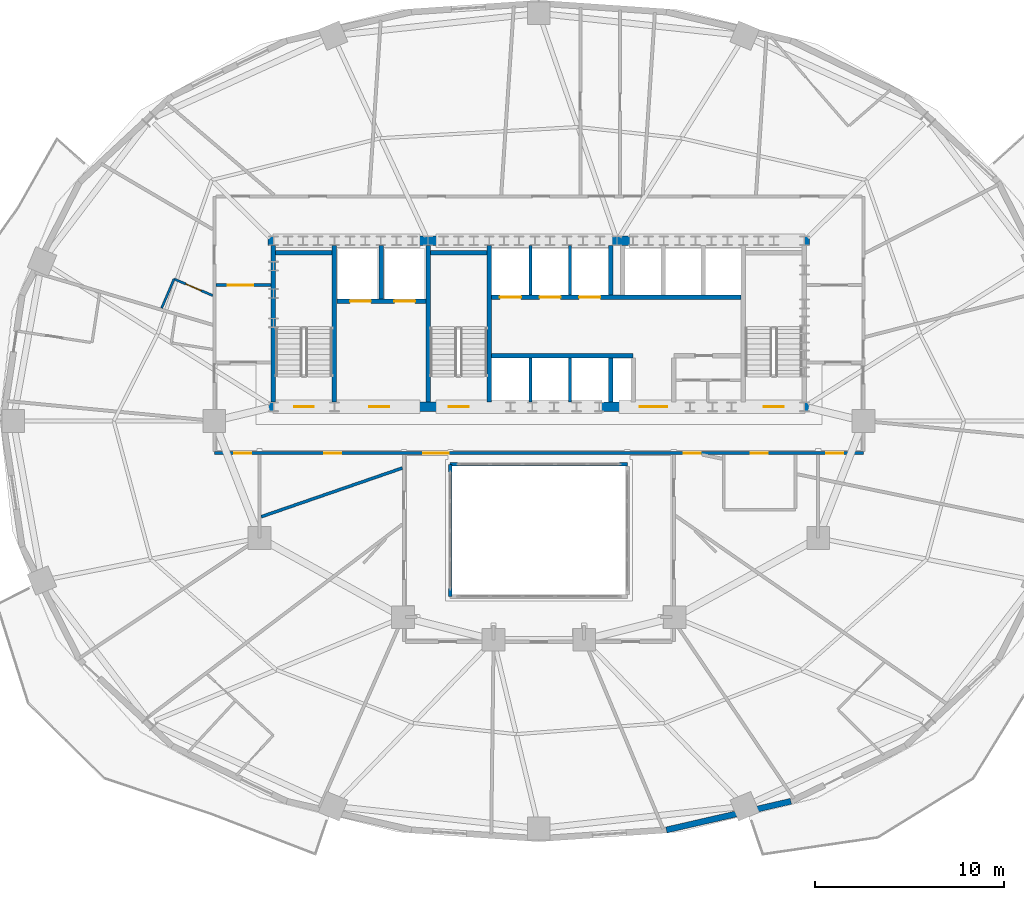
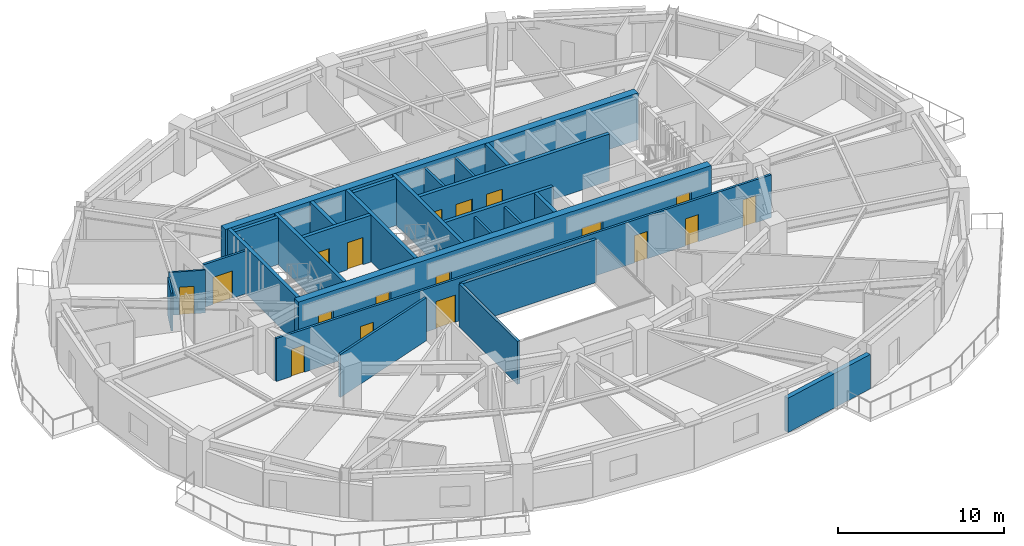
# One storey, part 8 of 14: 26 walls, 18 doors, 18 openings.
"""IFC4 building model written with IfcOpenShell, lengths in metres."""

import ifcopenshell
import ifcopenshell.guid

model = None  # the IFC model being written
_history = None  # IfcOwnerHistory: only IFC2X3 demands one
_inside = {}  # id of a spatial element -> (the spatial element, [elements in it])
_under = {}  # id of a project, library or spatial element -> (it, [spatial elements below it])
_declared = {}  # id of a project -> (the project, [libraries it declares])
_typed = {}  # id of a type object -> (the type object, [elements of that type])
_made_of = {}  # id of a material, layer set ... -> (it, [elements and type objects made of it])


def new_model(schema):
    """Start an empty IFC model of exactly this schema.

    Asked for "IFC4X3", IfcOpenShell would pick the latest addendum, in which some entities
    have other attributes; the version numbers below select the first issue.
    IFC2X3 requires an IfcOwnerHistory on every rooted entity: one is made here for all.
    """
    global model, _history
    if schema == "IFC4X3":
        model = ifcopenshell.file(schema_version=(4, 3, 0, 0))
    else:
        model = ifcopenshell.file(schema=schema)
    _inside.clear()
    _under.clear()
    _declared.clear()
    _typed.clear()
    _made_of.clear()
    _history = None
    if model.schema == "IFC2X3":
        org = make("IfcOrganization", Name="unknown")
        user = make(
            "IfcPersonAndOrganization",
            ThePerson=make("IfcPerson", FamilyName="unknown"),
            TheOrganization=org,
        )
        app = make(
            "IfcApplication",
            ApplicationDeveloper=org,
            Version="unknown",
            ApplicationFullName="unknown",
            ApplicationIdentifier="unknown",
        )
        _history = make(
            "IfcOwnerHistory",
            OwningUser=user,
            OwningApplication=app,
            ChangeAction="ADDED",
            CreationDate=0,
        )
    return model


def make(cls, **values):
    """One entity of the class cls with the attributes given. An attribute that is None is left unset."""
    return model.create_entity(
        cls, **{name: value for name, value in values.items() if value is not None}
    )


def rooted(cls, **values):
    """An entity with a GlobalId (a new one), such as an element, a storey or a relation."""
    return make(cls, GlobalId=ifcopenshell.guid.new(), OwnerHistory=_history, **values)


def si_unit(unit_type, name, prefix=None):
    """IfcSIUnit, for example si_unit("LENGTHUNIT", "METRE", prefix="MILLI")."""
    return make("IfcSIUnit", UnitType=unit_type, Prefix=prefix, Name=name)


def assignment(units):
    """IfcUnitAssignment: the units of a project."""
    return None if units is None else make("IfcUnitAssignment", Units=units)


def point(xyz):
    """IfcCartesianPoint."""
    return None if xyz is None else make("IfcCartesianPoint", Coordinates=xyz)


def direction(xyz):
    """IfcDirection."""
    return None if xyz is None else make("IfcDirection", DirectionRatios=xyz)


def frame(location, z_axis=None, x_axis=None):
    """IfcAxis2Placement3D, a coordinate frame: its origin and axes. An axis left out is left unset."""
    return make(
        "IfcAxis2Placement3D",
        Location=point(location),
        Axis=direction(z_axis),
        RefDirection=direction(x_axis),
    )


def frame_2d(location, x_axis=None):
    """IfcAxis2Placement2D, a coordinate frame in the plane: its origin and x axis."""
    return make(
        "IfcAxis2Placement2D", Location=point(location), RefDirection=direction(x_axis)
    )


def origin():
    """The frame at (0, 0, 0) with its axes left unset."""
    return frame((0.0, 0.0, 0.0))


def place(relative_to, where):
    """IfcLocalPlacement: puts the frame where relative to a parent placement (None: the world)."""
    return make(
        "IfcLocalPlacement", PlacementRelTo=relative_to, RelativePlacement=where
    )


def context(
    kind, dimensions, precision=None, world=None, true_north=None, identifier=None
):
    """IfcGeometricRepresentationContext, for example the 3D "Model" context."""
    return make(
        "IfcGeometricRepresentationContext",
        ContextIdentifier=identifier,
        ContextType=kind,
        CoordinateSpaceDimension=dimensions,
        Precision=precision,
        WorldCoordinateSystem=world,
        TrueNorth=true_north,
    )


def subcontext(parent, identifier, kind, view, scale=None):
    """IfcGeometricRepresentationSubContext, for example "Body" below "Model"."""
    return make(
        "IfcGeometricRepresentationSubContext",
        ContextIdentifier=identifier,
        ContextType=kind,
        ParentContext=parent,
        TargetScale=scale,
        TargetView=view,
    )


def project(units=None, contexts=None):
    """IfcProject with its units and contexts."""
    return rooted(
        "IfcProject",
        Name="project",
        RepresentationContexts=contexts,
        UnitsInContext=assignment(units),
    )


def spatial(cls, under=None, at=None, **own):
    """A site, building, storey or space (cls), placed at a placement, below another one or the project."""
    s = rooted(cls, ObjectPlacement=at, **own)
    if under is not None:
        _under.setdefault(under.id(), (under, []))[1].append(s)
    return s


def profile(cls, at=None, kind="AREA", **sizes):
    """A parametric profile (cls). Its sizes go by their IFC names, for example OverallWidth=200.0."""
    return make(cls, ProfileType=kind, Position=at, **sizes)


def rectangle(**sizes):
    """IfcRectangleProfileDef."""
    return profile("IfcRectangleProfileDef", **sizes)


def extrude(swept, where, along, depth):
    """IfcExtrudedAreaSolid: the profile swept, set in the frame where, extruded along a direction by depth."""
    return make(
        "IfcExtrudedAreaSolid",
        SweptArea=swept,
        Position=where,
        ExtrudedDirection=direction(along),
        Depth=depth,
    )


def shape(context_of_items, identifier, shape_type, items):
    """IfcShapeRepresentation: the items that make up one representation, for example the "Body"."""
    return make(
        "IfcShapeRepresentation",
        ContextOfItems=context_of_items,
        RepresentationIdentifier=identifier,
        RepresentationType=shape_type,
        Items=items,
    )


def material(Name=None, Category=None):
    """IfcMaterial."""
    return make("IfcMaterial", Name=Name, Category=Category)


def layer(
    of_material, thickness, ventilated=None, Name=None, Category=None, Priority=None
):
    """IfcMaterialLayer: one layer of a wall or slab, of a material (None: an air gap)."""
    return make(
        "IfcMaterialLayer",
        Material=of_material,
        LayerThickness=thickness,
        IsVentilated=ventilated,
        Name=Name,
        Category=Category,
        Priority=Priority,
    )


def layer_set(layers, Name=None):
    """IfcMaterialLayerSet."""
    return make("IfcMaterialLayerSet", MaterialLayers=layers, LayerSetName=Name)


def made_of(thing, what):
    """Note that an element or type object is made of a material, layer set ...; save() writes the relation."""
    if what is not None:
        _made_of.setdefault(what.id(), (what, []))[1].append(thing)
    return thing


def type_object(cls, material=None, **own):
    """A type object (cls), such as IfcWallType, which elements share."""
    return made_of(rooted(cls, **own), material)


def element(
    cls,
    number,
    at=None,
    inside=None,
    cuts=None,
    type_object=None,
    material=None,
    context=None,
    identifier="Body",
    shape_type=None,
    held_by="IfcProductDefinitionShape",
    body=None,
    shapes=None,
    **own,
):
    """One element of the class cls, such as IfcWall. Its Tag is "e" and its number.

    at: its placement. inside: the storey or other place that contains it. cuts: it is an
    opening in that element (IfcRelVoidsElement). A single representation is given by context,
    identifier, shape_type and body (its items); several are given by shapes. held_by: the class
    of the entity that holds the representations. save() writes the other relations.
    """
    e = rooted(cls, Tag="e%d" % number, ObjectPlacement=at, **own)
    if body is not None:
        shapes = [shape(context, identifier, shape_type, body)]
    if shapes is not None:
        e.Representation = make(held_by, Representations=shapes)
    if inside is not None:
        _inside.setdefault(inside.id(), (inside, []))[1].append(e)
    if cuts is not None:
        rooted(
            "IfcRelVoidsElement", RelatingBuildingElement=cuts, RelatedOpeningElement=e
        )
    if type_object is not None:
        _typed.setdefault(type_object.id(), (type_object, []))[1].append(e)
    return made_of(e, material)


def fill(opening, filler):
    """IfcRelFillsElement: the door or window that sits in an opening."""
    return rooted(
        "IfcRelFillsElement",
        RelatingOpeningElement=opening,
        RelatedBuildingElement=filler,
    )


def aggregate(whole, parts):
    """IfcRelAggregates: a whole, such as a stair, and the parts it consists of."""
    return rooted("IfcRelAggregates", RelatingObject=whole, RelatedObjects=parts)


def save(model, path):
    """Write the relations noted so far, then the file.

    IfcRelAggregates (storeys below a building ...), IfcRelContainedInSpatialStructure (elements
    in a storey), IfcRelDefinesByType, IfcRelAssociatesMaterial and IfcRelDeclares: one each for
    every whole, place, type object, material and project.
    """
    for whole, parts in _under.values():
        aggregate(whole, parts)
    for where, things in _inside.values():
        rooted(
            "IfcRelContainedInSpatialStructure",
            RelatedElements=things,
            RelatingStructure=where,
        )
    for kind, things in _typed.values():
        rooted("IfcRelDefinesByType", RelatedObjects=things, RelatingType=kind)
    for what, things in _made_of.values():
        rooted("IfcRelAssociatesMaterial", RelatedObjects=things, RelatingMaterial=what)
    for by, libraries in _declared.values():
        rooted("IfcRelDeclares", RelatingContext=by, RelatedDefinitions=libraries)
    model.write(path)


model = new_model("IFC4")

# Units and contexts
model_context = context("Model", 3, precision=1e-05, world=origin(), true_north=direction((0.0, 1.0)))
body_context = subcontext(model_context, "Body", "Model", "MODEL_VIEW")
ifc_project = project(units=[si_unit("LENGTHUNIT", "METRE"), si_unit("AREAUNIT", "SQUARE_METRE"), si_unit("VOLUMEUNIT", "CUBIC_METRE"), si_unit("PLANEANGLEUNIT", "RADIAN"), si_unit("MASSUNIT", "GRAM", prefix="KILO")], contexts=[model_context])

# Site, building, storey
site_placement = place(None, origin())
site = spatial("IfcSite", under=ifc_project, at=site_placement, CompositionType="ELEMENT")
building_placement = place(site_placement, origin())
building = spatial("IfcBuilding", under=site, at=building_placement, Name="Haldorwick Loom Tower", CompositionType="ELEMENT")
storey_placement = place(building_placement, frame((0.0, 0.0, 102.5)))
storey = spatial("IfcBuildingStorey", under=building, at=storey_placement, Name="L27", CompositionType="ELEMENT", Elevation=102.5)

# Wall
ifc_material_1 = material(Name="Pressed Clay Face Brick and Insulated Masonry Backup Assembly", Category="masonry")
ifc_layer_1 = layer(ifc_material_1, 0.320068359375, Name="Pressed Clay Face Brick and Insulated Masonry Backup Assembly", Category="masonry")
ifc_layer_set_1 = layer_set([ifc_layer_1], Name="Pressed Clay Face Brick and Insulated Masonry Backup Assembly")
wall_type_1 = type_object("IfcWallType", Name="ARC-WL-EXT320", PredefinedType="STANDARD", material=ifc_layer_set_1)
wall_1_placement = place(storey_placement, frame((42.757080078125, 4.325439453125, 0.0), z_axis=(0.0, 0.0, 1.0), x_axis=(0.974584177714, 0.224021607329, 0.0)))
element("IfcWall", 1, at=wall_1_placement, inside=storey, type_object=wall_type_1, Name="L27 Brick Pier and Spandrel Wall 20", PredefinedType="STANDARD", context=body_context, shape_type="SweptSolid", body=[
    extrude(rectangle(XDim=6.767822265625, YDim=0.320068359375, at=frame_2d((3.3837890625, 0.0))), origin(), (0.0, 0.0, 1.0), 2.529052734375),
])

# Wall, openings, doors
ifc_material_2 = material(Name="Fire-Rated Type X Gypsum Stud Assembly EI 60")
ifc_layer_2 = layer(ifc_material_2, 0.159912109375, Name="Fire-Rated Type X Gypsum Stud Assembly EI 60")
ifc_layer_set_2 = layer_set([ifc_layer_2], Name="Fire-Rated Type X Gypsum Stud Assembly EI 60")
wall_type_2 = type_object("IfcWallType", Name="ARC-WL-FIRE160", PredefinedType="PARTITIONING", material=ifc_layer_set_2)
wall_2_placement = place(storey_placement, frame((18.800048828125, 24.300048828125, 0.0), z_axis=(0.0, 0.0, 1.0), x_axis=(1.0, 0.0, 0.0)))
wall_2 = element("IfcWall", 2, at=wall_2_placement, inside=storey, type_object=wall_type_2, Name="L27 Residential Fire Partition L27-CR-SP", PredefinedType="PARTITIONING", context=body_context, shape_type="SweptSolid", body=[
    extrude(rectangle(XDim=34.39990234375, YDim=0.159912109375, at=frame_2d((17.199951171875, 0.0))), origin(), (0.0, 0.0, 1.0), 3.155029296875),
])
opening_1_placement = place(wall_2_placement, frame((11.085693359375, 0.0, 0.0)))
opening_1 = element("IfcOpeningElement", 3, at=opening_1_placement, cuts=wall_2, Name="Opening D-CR15", PredefinedType="OPENING", context=body_context, shape_type="SweptSolid", body=[
    extrude(rectangle(XDim=1.35009765625, YDim=2.0, at=frame_2d((0.675048828125, 1.0))), frame((0.0, 0.08984375, 0.0), z_axis=(0.0, -1.0, 0.0), x_axis=(1.0, 0.0, 0.0)), (0.0, 0.0, 1.0), 0.179931640625),
])
opening_2_placement = place(wall_2_placement, frame((5.834716796875, 0.0, 0.0)))
opening_2 = element("IfcOpeningElement", 4, at=opening_2_placement, cuts=wall_2, Name="Opening D-FD60A", PredefinedType="OPENING", context=body_context, shape_type="SweptSolid", body=[
    extrude(rectangle(XDim=0.89990234375, YDim=2.0, at=frame_2d((0.449951171875, 1.0))), frame((0.0, 0.08984375, 0.0), z_axis=(0.0, -1.0, 0.0), x_axis=(1.0, 0.0, 0.0)), (0.0, 0.0, 1.0), 0.179931640625),
])
opening_3_placement = place(wall_2_placement, frame((28.437255859375, 0.0, 0.0)))
opening_3 = element("IfcOpeningElement", 5, at=opening_3_placement, cuts=wall_2, Name="Opening D-FD60A", PredefinedType="OPENING", context=body_context, shape_type="SweptSolid", body=[
    extrude(rectangle(XDim=0.89990234375, YDim=2.0, at=frame_2d((0.449951171875, 1.0))), frame((0.0, 0.08984375, 0.0), z_axis=(0.0, -1.0, 0.0), x_axis=(1.0, 0.0, 0.0)), (0.0, 0.0, 1.0), 0.179931640625),
])
opening_4_placement = place(wall_2_placement, frame((24.8916015625, 0.0, 0.0)))
opening_4 = element("IfcOpeningElement", 6, at=opening_4_placement, cuts=wall_2, Name="Opening D-FD60A", PredefinedType="OPENING", context=body_context, shape_type="SweptSolid", body=[
    extrude(rectangle(XDim=0.89990234375, YDim=2.0, at=frame_2d((0.449951171875, 1.0))), frame((0.0, 0.08984375, 0.0), z_axis=(0.0, -1.0, 0.0), x_axis=(1.0, 0.0, 0.0)), (0.0, 0.0, 1.0), 0.179931640625),
])
opening_5_placement = place(wall_2_placement, frame((1.063232421875, 0.0, 0.0)))
opening_5 = element("IfcOpeningElement", 7, at=opening_5_placement, cuts=wall_2, Name="Opening D-FD60A", PredefinedType="OPENING", context=body_context, shape_type="SweptSolid", body=[
    extrude(rectangle(XDim=0.89990234375, YDim=2.0, at=frame_2d((0.449951171875, 1.0))), frame((0.0, 0.08984375, 0.0), z_axis=(0.0, -1.0, 0.0), x_axis=(1.0, 0.0, 0.0)), (0.0, 0.0, 1.0), 0.179931640625),
])
opening_6_placement = place(wall_2_placement, frame((32.436767578125, 0.0, 0.0)))
opening_6 = element("IfcOpeningElement", 8, at=opening_6_placement, cuts=wall_2, Name="Opening D-FD60A", PredefinedType="OPENING", context=body_context, shape_type="SweptSolid", body=[
    extrude(rectangle(XDim=0.89990234375, YDim=2.0, at=frame_2d((0.449951171875, 1.0))), frame((0.0, 0.08984375, 0.0), z_axis=(0.0, -1.0, 0.0), x_axis=(1.0, 0.0, 0.0)), (0.0, 0.0, 1.0), 0.179931640625),
])
ifc_material_3 = material(Name="Thermally Broken Anodized Aluminium and Tempered Glass", Category="aluminium")
door_type_1 = type_object("IfcDoorType", Name="ARC-DR-COR150", OperationType="NOTDEFINED", PredefinedType="DOOR", material=ifc_material_3)
door_1_placement = place(opening_1_placement, origin())
door_1 = element("IfcDoor", 9, at=door_1_placement, inside=storey, type_object=door_type_1, Name="L27 L27 Central Residential Corridor to L27 South Atrium Corridor Door", OperationType="DOUBLE_DOOR_SINGLE_SWING", OverallHeight=2.0, OverallWidth=1.35009765625, PredefinedType="DOOR", context=body_context, shape_type="SweptSolid", body=[
    extrude(rectangle(XDim=1.35009765625, YDim=2.0, at=frame_2d((0.675048828125, 1.0))), frame((0.0, 0.02490234375, 0.0), z_axis=(0.0, -1.0, 0.0), x_axis=(1.0, 0.0, 0.0)), (0.0, 0.0, 1.0), 0.050048828125),
])
fill(opening_1, door_1)
ifc_material_4 = material(Name="Hollow Steel Fire Door Assembly", Category="steel")
door_type_2 = type_object("IfcDoorType", Name="ARC-DR-FD60-90", OperationType="NOTDEFINED", PredefinedType="DOOR", material=ifc_material_4)
door_2_placement = place(opening_2_placement, origin())
door_2 = element("IfcDoor", 10, at=door_2_placement, inside=storey, type_object=door_type_2, Name="L27 L27 Central Residential Corridor to Shared Dining Hall 3 Door", OperationType="SINGLE_SWING_LEFT", OverallHeight=2.0, OverallWidth=0.89990234375, PredefinedType="DOOR", context=body_context, shape_type="SweptSolid", body=[
    extrude(rectangle(XDim=0.89990234375, YDim=2.0, at=frame_2d((0.449951171875, 1.0))), frame((0.0, 0.02490234375, 0.0), z_axis=(0.0, -1.0, 0.0), x_axis=(1.0, 0.0, 0.0)), (0.0, 0.0, 1.0), 0.050048828125),
])
fill(opening_2, door_2)
door_3_placement = place(opening_3_placement, origin())
door_3 = element("IfcDoor", 11, at=door_3_placement, inside=storey, type_object=door_type_2, Name="L27 L27 Central Residential Corridor to Common Accessible WC Door", OperationType="SINGLE_SWING_LEFT", OverallHeight=2.0, OverallWidth=0.89990234375, PredefinedType="DOOR", context=body_context, shape_type="SweptSolid", body=[
    extrude(rectangle(XDim=0.89990234375, YDim=2.0, at=frame_2d((0.449951171875, 1.0))), frame((0.0, 0.02490234375, 0.0), z_axis=(0.0, -1.0, 0.0), x_axis=(1.0, 0.0, 0.0)), (0.0, 0.0, 1.0), 0.050048828125),
])
fill(opening_3, door_3)
door_4_placement = place(opening_4_placement, origin())
door_4 = element("IfcDoor", 12, at=door_4_placement, inside=storey, type_object=door_type_2, Name="L27 L27 Central Residential Corridor to Co-Working Open Office 15 Door", OperationType="SINGLE_SWING_RIGHT", OverallHeight=2.0, OverallWidth=0.89990234375, PredefinedType="DOOR", context=body_context, shape_type="SweptSolid", body=[
    extrude(rectangle(XDim=0.89990234375, YDim=2.0, at=frame_2d((0.449951171875, 1.0))), frame((0.0, 0.02490234375, 0.0), z_axis=(0.0, -1.0, 0.0), x_axis=(1.0, 0.0, 0.0)), (0.0, 0.0, 1.0), 0.050048828125),
])
fill(opening_4, door_4)
door_5_placement = place(opening_5_placement, origin())
door_5 = element("IfcDoor", 13, at=door_5_placement, inside=storey, type_object=door_type_2, Name="L27 L27 Central Residential Corridor to Co-Working Open Office 1 Door", OperationType="SINGLE_SWING_LEFT", OverallHeight=2.0, OverallWidth=0.89990234375, PredefinedType="DOOR", context=body_context, shape_type="SweptSolid", body=[
    extrude(rectangle(XDim=0.89990234375, YDim=2.0, at=frame_2d((0.449951171875, 1.0))), frame((0.0, 0.02490234375, 0.0), z_axis=(0.0, -1.0, 0.0), x_axis=(1.0, 0.0, 0.0)), (0.0, 0.0, 1.0), 0.050048828125),
])
fill(opening_5, door_5)
door_6_placement = place(opening_6_placement, origin())
door_6 = element("IfcDoor", 14, at=door_6_placement, inside=storey, type_object=door_type_2, Name="L27 L27 Central Residential Corridor to Co-Working Open Office 7 Door", OperationType="SINGLE_SWING_RIGHT", OverallHeight=2.0, OverallWidth=0.89990234375, PredefinedType="DOOR", context=body_context, shape_type="SweptSolid", body=[
    extrude(rectangle(XDim=0.89990234375, YDim=2.0, at=frame_2d((0.449951171875, 1.0))), frame((0.0, 0.02490234375, 0.0), z_axis=(0.0, -1.0, 0.0), x_axis=(1.0, 0.0, 0.0)), (0.0, 0.0, 1.0), 0.050048828125),
])
fill(opening_6, door_6)

# Wall, opening, door
wall_3_placement = place(storey_placement, frame((18.883056640625, 33.199951171875, 0.0), z_axis=(0.0, 0.0, 1.0), x_axis=(1.0, 0.0, 0.0)))
wall_3 = element("IfcWall", 15, at=wall_3_placement, inside=storey, type_object=wall_type_2, Name="L27 Residential Fire Partition L27-CR-WNJ", PredefinedType="PARTITIONING", context=body_context, shape_type="SweptSolid", body=[
    extrude(rectangle(XDim=2.923828125, YDim=0.159912109375, at=frame_2d((1.4619140625, 0.0))), origin(), (0.0, 0.0, 1.0), 3.155029296875),
])
opening_7_placement = place(wall_3_placement, frame((0.637939453125, 0.0, 0.0)))
opening_7 = element("IfcOpeningElement", 16, at=opening_7_placement, cuts=wall_3, Name="Opening D-CR15", PredefinedType="OPENING", context=body_context, shape_type="SweptSolid", body=[
    extrude(rectangle(XDim=1.35009765625, YDim=2.0, at=frame_2d((0.675048828125, 1.0))), frame((0.0, 0.08984375, 0.0), z_axis=(0.0, -1.0, 0.0), x_axis=(1.0, 0.0, 0.0)), (0.0, 0.0, 1.0), 0.179931640625),
])
door_7_placement = place(opening_7_placement, origin())
door_7 = element("IfcDoor", 17, at=door_7_placement, inside=storey, type_object=door_type_1, Name="L27 L27 North Residential Corridor to L27 West Residential Corridor Door", OperationType="DOUBLE_DOOR_SINGLE_SWING", OverallHeight=2.0, OverallWidth=1.35009765625, PredefinedType="DOOR", context=body_context, shape_type="SweptSolid", body=[
    extrude(rectangle(XDim=1.35009765625, YDim=2.0, at=frame_2d((0.675048828125, 1.0))), frame((0.0, 0.02490234375, 0.0), z_axis=(0.0, -1.0, 0.0), x_axis=(1.0, 0.0, 0.0)), (0.0, 0.0, 1.0), 0.050048828125),
])
fill(opening_7, door_7)

# Walls
wall_4_placement = place(storey_placement, frame((28.76708984375, 23.504638671875, 0.0), z_axis=(0.0, 0.0, 1.0), x_axis=(-0.945322503032, -0.326137034483, 0.0)))
element("IfcWall", 18, at=wall_4_placement, inside=storey, type_object=wall_type_2, Name="L27 Suite Split Wall", PredefinedType="PARTITIONING", context=body_context, shape_type="SweptSolid", body=[
    extrude(rectangle(XDim=7.9169921875, YDim=0.159912109375, at=frame_2d((3.95849609375, 0.0))), origin(), (0.0, 0.0, 1.0), 3.155029296875),
])
ifc_material_5 = material(Name="Fire-Rated Type X Gypsum Stud Assembly EI 120")
ifc_layer_3 = layer(ifc_material_5, 0.199951171875, Name="Fire-Rated Type X Gypsum Stud Assembly EI 120")
ifc_layer_set_3 = layer_set([ifc_layer_3], Name="Fire-Rated Type X Gypsum Stud Assembly EI 120")
wall_type_3 = type_object("IfcWallType", Name="ARC-WL-FIRE200", PredefinedType="PARTITIONING", material=ifc_layer_set_3)
wall_5_placement = place(storey_placement, frame((31.300048828125, 23.699951171875, 0.0), z_axis=(0.0, 0.0, 1.0), x_axis=(1.0, 0.0, 0.0)))
element("IfcWall", 19, at=wall_5_placement, inside=storey, type_object=wall_type_3, Name="L27 Atrium Fire Enclosure Wall N", PredefinedType="PARTITIONING", context=body_context, shape_type="SweptSolid", body=[
    extrude(rectangle(XDim=9.39990234375, YDim=0.199951171875, at=frame_2d((4.699951171875, 0.0))), origin(), (0.0, 0.0, 1.0), 3.155029296875),
])
wall_6_placement = place(storey_placement, frame((31.300048828125, 16.699951171875, 0.0), z_axis=(0.0, 0.0, 1.0), x_axis=(0.0, 1.0, 0.0)))
element("IfcWall", 20, at=wall_6_placement, inside=storey, type_object=wall_type_3, Name="L27 Atrium Fire Enclosure Wall W", PredefinedType="PARTITIONING", context=body_context, shape_type="SweptSolid", body=[
    extrude(rectangle(XDim=7.0, YDim=0.199951171875, at=frame_2d((3.5, 0.0))), origin(), (0.0, 0.0, 1.0), 3.155029296875),
])
ifc_material_6 = material(Name="Acoustic Gypsum Stud Assembly STC 55")
ifc_layer_4 = layer(ifc_material_6, 0.1201171875, Name="Acoustic Gypsum Stud Assembly STC 55")
ifc_layer_set_4 = layer_set([ifc_layer_4], Name="Acoustic Gypsum Stud Assembly STC 55")
wall_type_4 = type_object("IfcWallType", Name="ARC-WL-PART120", PredefinedType="PARTITIONING", material=ifc_layer_set_4)
wall_7_placement = place(storey_placement, frame((16.67041015625, 33.52294921875, 0.0), z_axis=(0.0, 0.0, 1.0), x_axis=(-0.393008297987, -0.919534924684, 0.0)))
element("IfcWall", 21, at=wall_7_placement, inside=storey, type_object=wall_type_4, Name="L27 Unit 27K Interior Partition", PredefinedType="PARTITIONING", context=body_context, shape_type="SweptSolid", body=[
    extrude(rectangle(XDim=1.68212890625, YDim=0.1201171875, at=frame_2d((0.841064453125, 0.0))), origin(), (0.0, 0.0, 1.0), 2.787109375),
])

# Wall, opening, door
wall_8_placement = place(storey_placement, frame((18.717041015625, 32.648193359375, 0.0), z_axis=(0.0, 0.0, 1.0), x_axis=(-0.919530395022, 0.393018896023, 0.0)))
wall_8 = element("IfcWall", 22, at=wall_8_placement, inside=storey, type_object=wall_type_4, Name="L27 Unit 27K Interior Partition", PredefinedType="PARTITIONING", context=body_context, shape_type="SweptSolid", body=[
    extrude(rectangle(XDim=2.225830078125, YDim=0.1201171875, at=frame_2d((1.11279296875, 0.0))), origin(), (0.0, 0.0, 1.0), 3.155029296875),
])
opening_8_placement = place(wall_8_placement, frame((0.6728515625, 0.0, 0.0)))
opening_8 = element("IfcOpeningElement", 23, at=opening_8_placement, cuts=wall_8, Name="Opening D-BT88", PredefinedType="OPENING", context=body_context, shape_type="SweptSolid", body=[
    extrude(rectangle(XDim=0.8798828125, YDim=2.02001953125, at=frame_2d((0.43994140625, 1.010009765625))), frame((0.0, 0.070068359375, 0.0), z_axis=(0.0, -1.0, 0.0), x_axis=(1.0, 0.0, 0.0)), (0.0, 0.0, 1.0), 0.14013671875),
])
ifc_material_7 = material(Name="Solid Core Birch Architectural Door")
door_type_3 = type_object("IfcDoorType", Name="ARC-DR-BATH88", OperationType="NOTDEFINED", PredefinedType="DOOR", material=ifc_material_7)
door_8_placement = place(opening_8_placement, origin())
door_8 = element("IfcDoor", 24, at=door_8_placement, inside=storey, type_object=door_type_3, Name="L27 Unit 27K Bathroom to Unit 27K Kitchen and Studio Living Room Door", OperationType="SINGLE_SWING_LEFT", OverallHeight=2.02001953125, OverallWidth=0.8798828125, PredefinedType="DOOR", context=body_context, shape_type="SweptSolid", body=[
    extrude(rectangle(XDim=0.8798828125, YDim=2.02001953125, at=frame_2d((0.43994140625, 1.010009765625))), frame((0.0, 0.02490234375, 0.0), z_axis=(0.0, -1.0, 0.0), x_axis=(1.0, 0.0, 0.0)), (0.0, 0.0, 1.0), 0.050048828125),
])
fill(opening_8, door_8)

# Walls
ifc_layer_5 = layer(ifc_material_5, 0.1650390625, Name="Fire-Rated Type X Gypsum Stud Assembly EI 120")
ifc_layer_set_5 = layer_set([ifc_layer_5], Name="Fire-Rated Type X Gypsum Stud Assembly EI 120")
wall_type_5 = type_object("IfcWallType", Name="ARC-WL-SHAFT160", PredefinedType="MOVABLE", material=ifc_layer_set_5)
for number, where, z_axis, x_axis, name in (
    (25, (35.550048828125, 32.673095703125, 0.0), (0.0, 0.0, 1.0), (0.0, 1.0, 0.0), "L27 Low-Rise Hoistway Divider 1"),
    (26, (37.64990234375, 32.673095703125, 0.0), (0.0, 0.0, 1.0), (0.0, 1.0, 0.0), "L27 Low-Rise Hoistway Divider 2"),
):
    element("IfcWall", number, at=place(storey_placement, frame(where, z_axis=z_axis, x_axis=x_axis)), inside=storey, type_object=wall_type_5, Name=name, PredefinedType="MOVABLE", context=body_context, shape_type="SweptSolid", body=[
        extrude(rectangle(XDim=2.6240234375, YDim=0.159912109375, at=frame_2d((1.31201171875, 0.0))), origin(), (0.0, 0.0, 1.0), 3.155029296875),
    ])
for number, where, z_axis, x_axis, name in (
    (27, (35.550048828125, 27.0029296875, 0.0), (0.0, 0.0, 1.0), (0.0, 1.0, 0.0), "L27 Mid-Rise Hoistway Divider 1"),
    (28, (37.64990234375, 27.0029296875, 0.0), (0.0, 0.0, 1.0), (0.0, 1.0, 0.0), "L27 Mid-Rise Hoistway Divider 2"),
):
    element("IfcWall", number, at=place(storey_placement, frame(where, z_axis=z_axis, x_axis=x_axis)), inside=storey, type_object=wall_type_5, Name=name, PredefinedType="MOVABLE", context=body_context, shape_type="SweptSolid", body=[
        extrude(rectangle(XDim=2.323974609375, YDim=0.159912109375, at=frame_2d((1.162109375, 0.0))), origin(), (0.0, 0.0, 1.0), 3.155029296875),
    ])

# Wall, openings, doors
ifc_material_8 = material(Name="Concrete C60 (60 MPa)", Category="concrete")
ifc_layer_6 = layer(ifc_material_8, 0.5, Name="Concrete C60 (60 MPa)", Category="concrete")
ifc_layer_set_6 = layer_set([ifc_layer_6], Name="Concrete C60 (60 MPa)")
wall_type_6 = type_object("IfcWallType", Name="STR-WL-CORE500", PredefinedType="SHEAR", material=ifc_layer_set_6)
wall_9_placement = place(storey_placement, frame((21.64990234375, 26.75, 0.0), z_axis=(0.0, 0.0, 1.0), x_axis=(1.0, 0.0, 0.0)))
wall_9 = element("IfcWall", 29, at=wall_9_placement, inside=storey, type_object=wall_type_6, Name="L27 Core Shear Wall S", PredefinedType="SHEAR", context=body_context, shape_type="SweptSolid", body=[
    extrude(rectangle(XDim=28.7001953125, YDim=0.5, at=frame_2d((14.35009765625, 0.0))), origin(), (0.0, 0.0, 1.0), 3.449951171875),
])
opening_9_placement = place(wall_9_placement, frame((1.375, 0.0, 0.0)))
opening_9 = element("IfcOpeningElement", 30, at=opening_9_placement, cuts=wall_9, Name="Opening D-FD60", PredefinedType="OPENING", context=body_context, shape_type="SweptSolid", body=[
    extrude(rectangle(XDim=1.050048828125, YDim=2.0, at=frame_2d((0.52490234375, 1.0))), frame((0.0, 0.260009765625, 0.0), z_axis=(0.0, -1.0, 0.0), x_axis=(1.0, 0.0, 0.0)), (0.0, 0.0, 1.0), 0.52001953125),
])
opening_10_placement = place(wall_9_placement, frame((5.375, 0.0, 0.0)))
opening_10 = element("IfcOpeningElement", 31, at=opening_10_placement, cuts=wall_9, Name="Opening D-FD60", PredefinedType="OPENING", context=body_context, shape_type="SweptSolid", body=[
    extrude(rectangle(XDim=1.050048828125, YDim=2.0, at=frame_2d((0.52490234375, 1.0))), frame((0.0, 0.260009765625, 0.0), z_axis=(0.0, -1.0, 0.0), x_axis=(1.0, 0.0, 0.0)), (0.0, 0.0, 1.0), 0.52001953125),
])
opening_11_placement = place(wall_9_placement, frame((9.574951171875, 0.0, 0.0)))
opening_11 = element("IfcOpeningElement", 32, at=opening_11_placement, cuts=wall_9, Name="Opening D-FD60", PredefinedType="OPENING", context=body_context, shape_type="SweptSolid", body=[
    extrude(rectangle(XDim=1.050048828125, YDim=2.0, at=frame_2d((0.52490234375, 1.0))), frame((0.0, 0.260009765625, 0.0), z_axis=(0.0, -1.0, 0.0), x_axis=(1.0, 0.0, 0.0)), (0.0, 0.0, 1.0), 0.52001953125),
])
opening_12_placement = place(wall_9_placement, frame((19.705078125, 0.0, 0.0)))
opening_12 = element("IfcOpeningElement", 33, at=opening_12_placement, cuts=wall_9, Name="Opening D-LB15", PredefinedType="OPENING", context=body_context, shape_type="SweptSolid", body=[
    extrude(rectangle(XDim=1.449951171875, YDim=2.0, at=frame_2d((0.72509765625, 1.0))), frame((0.0, 0.260009765625, 0.0), z_axis=(0.0, -1.0, 0.0), x_axis=(1.0, 0.0, 0.0)), (0.0, 0.0, 1.0), 0.52001953125),
])
opening_13_placement = place(wall_9_placement, frame((26.27490234375, 0.0, 0.0)))
opening_13 = element("IfcOpeningElement", 34, at=opening_13_placement, cuts=wall_9, Name="Opening D-FD60", PredefinedType="OPENING", context=body_context, shape_type="SweptSolid", body=[
    extrude(rectangle(XDim=1.050048828125, YDim=2.0, at=frame_2d((0.52490234375, 1.0))), frame((0.0, 0.260009765625, 0.0), z_axis=(0.0, -1.0, 0.0), x_axis=(1.0, 0.0, 0.0)), (0.0, 0.0, 1.0), 0.52001953125),
])
door_type_4 = type_object("IfcDoorType", Name="ARC-DR-FD60", OperationType="NOTDEFINED", PredefinedType="DOOR", material=ifc_material_4)
door_9_placement = place(opening_9_placement, origin())
door_9 = element("IfcDoor", 35, at=door_9_placement, inside=storey, type_object=door_type_4, Name="L27 Exit Stair ST-01 Fire Door", OperationType="SINGLE_SWING_LEFT", OverallHeight=2.0, OverallWidth=1.050048828125, PredefinedType="DOOR", context=body_context, shape_type="SweptSolid", body=[
    extrude(rectangle(XDim=1.050048828125, YDim=2.0, at=frame_2d((0.52490234375, 1.0))), frame((0.0, 0.02490234375, 0.0), z_axis=(0.0, -1.0, 0.0), x_axis=(1.0, 0.0, 0.0)), (0.0, 0.0, 1.0), 0.050048828125),
])
fill(opening_9, door_9)
door_10_placement = place(opening_10_placement, origin())
door_10 = element("IfcDoor", 36, at=door_10_placement, inside=storey, type_object=door_type_4, Name="L27 Firefighting Lift Lobby Fire Door", OperationType="SINGLE_SWING_RIGHT", OverallHeight=2.0, OverallWidth=1.050048828125, PredefinedType="DOOR", context=body_context, shape_type="SweptSolid", body=[
    extrude(rectangle(XDim=1.050048828125, YDim=2.0, at=frame_2d((0.52490234375, 1.0))), frame((0.0, 0.02490234375, 0.0), z_axis=(0.0, -1.0, 0.0), x_axis=(1.0, 0.0, 0.0)), (0.0, 0.0, 1.0), 0.050048828125),
])
fill(opening_10, door_10)
door_11_placement = place(opening_11_placement, origin())
door_11 = element("IfcDoor", 37, at=door_11_placement, inside=storey, type_object=door_type_4, Name="L27 Exit Stair ST-03 Fire Door", OperationType="SINGLE_SWING_LEFT", OverallHeight=2.0, OverallWidth=1.050048828125, PredefinedType="DOOR", context=body_context, shape_type="SweptSolid", body=[
    extrude(rectangle(XDim=1.050048828125, YDim=2.0, at=frame_2d((0.52490234375, 1.0))), frame((0.0, 0.02490234375, 0.0), z_axis=(0.0, -1.0, 0.0), x_axis=(1.0, 0.0, 0.0)), (0.0, 0.0, 1.0), 0.050048828125),
])
fill(opening_11, door_11)
door_12_placement = place(opening_13_placement, origin())
door_12 = element("IfcDoor", 38, at=door_12_placement, inside=storey, type_object=door_type_4, Name="L27 Exit Stair ST-02 Fire Door", OperationType="SINGLE_SWING_LEFT", OverallHeight=2.0, OverallWidth=1.050048828125, PredefinedType="DOOR", context=body_context, shape_type="SweptSolid", body=[
    extrude(rectangle(XDim=1.050048828125, YDim=2.0, at=frame_2d((0.52490234375, 1.0))), frame((0.0, 0.02490234375, 0.0), z_axis=(0.0, -1.0, 0.0), x_axis=(1.0, 0.0, 0.0)), (0.0, 0.0, 1.0), 0.050048828125),
])
fill(opening_13, door_12)
door_type_5 = type_object("IfcDoorType", Name="ARC-DR-LOB150", OperationType="NOTDEFINED", PredefinedType="DOOR", material=ifc_material_3)
door_13_placement = place(opening_12_placement, frame((1.449951171875, 0.0, 0.0), z_axis=(0.0, 0.0, 1.0), x_axis=(-1.0, 0.0, 0.0)))
door_13 = element("IfcDoor", 39, at=door_13_placement, inside=storey, type_object=door_type_5, Name="L27 Passenger Lift Lobby Fire Door", OperationType="DOUBLE_DOOR_SINGLE_SWING", OverallHeight=2.0, OverallWidth=1.449951171875, PredefinedType="DOOR", context=body_context, shape_type="SweptSolid", body=[
    extrude(rectangle(XDim=1.449951171875, YDim=2.0, at=frame_2d((0.72509765625, 1.0))), frame((0.0, 0.02490234375, 0.0), z_axis=(0.0, -1.0, 0.0), x_axis=(1.0, 0.0, 0.0)), (0.0, 0.0, 1.0), 0.050048828125),
])
fill(opening_12, door_13)

# Walls
wall_10_placement = place(storey_placement, frame((50.35009765625, 35.550048828125, 0.0), z_axis=(0.0, 0.0, 1.0), x_axis=(-1.0, 0.0, 0.0)))
element("IfcWall", 40, at=wall_10_placement, inside=storey, type_object=wall_type_6, Name="L27 Core Shear Wall N", PredefinedType="SHEAR", context=body_context, shape_type="SweptSolid", body=[
    extrude(rectangle(XDim=28.7001953125, YDim=0.5, at=frame_2d((14.35009765625, 0.0))), origin(), (0.0, 0.0, 1.0), 3.449951171875),
])
ifc_material_9 = material(Name="Concrete C50 (50 MPa)", Category="concrete")
ifc_layer_7 = layer(ifc_material_9, 0.239990234375, Name="Concrete C50 (50 MPa)", Category="concrete")
ifc_layer_set_7 = layer_set([ifc_layer_7], Name="Concrete C50 (50 MPa)")
wall_type_7 = type_object("IfcWallType", Name="STR-WL-SHAFT240", PredefinedType="SHEAR", material=ifc_layer_set_7)
for number, where, z_axis, x_axis, name in (
    (41, (21.929931640625, 35.297119140625, 0.0), (0.0, 0.0, 1.0), (0.0, -1.0, 0.0), "L27 Core Shear Wall W"),
    (42, (25.169921875, 27.0029296875, 0.0), (0.0, 0.0, 1.0), (0.0, 1.0, 0.0), "L27 Core Shear Wall 1"),
):
    element("IfcWall", number, at=place(storey_placement, frame(where, z_axis=z_axis, x_axis=x_axis)), inside=storey, type_object=wall_type_7, Name=name, PredefinedType="SHEAR", context=body_context, shape_type="SweptSolid", body=[
        extrude(rectangle(XDim=8.294189453125, YDim=0.239990234375, at=frame_2d((4.14697265625, 0.0))), origin(), (0.0, 0.0, 1.0), 3.449951171875),
    ])
wall_11_placement = place(storey_placement, frame((22.052978515625, 34.919921875, 0.0), z_axis=(0.0, 0.0, 1.0), x_axis=(1.0, 0.0, 0.0)))
element("IfcWall", 43, at=wall_11_placement, inside=storey, type_object=wall_type_7, Name="L27 Core Shear Wall 1N", PredefinedType="SHEAR", context=body_context, shape_type="SweptSolid", body=[
    extrude(rectangle(XDim=2.994140625, YDim=0.239990234375, at=frame_2d((1.4970703125, 0.0))), origin(), (0.0, 0.0, 1.0), 3.449951171875),
])
for number, where, z_axis, x_axis, name in (
    (44, (30.1298828125, 27.0029296875, 0.0), (0.0, 0.0, 1.0), (0.0, 1.0, 0.0), "L27 Core Shear Wall 2"),
    (45, (33.3701171875, 27.0029296875, 0.0), (0.0, 0.0, 1.0), (0.0, 1.0, 0.0), "L27 Core Shear Wall 3"),
):
    element("IfcWall", number, at=place(storey_placement, frame(where, z_axis=z_axis, x_axis=x_axis)), inside=storey, type_object=wall_type_7, Name=name, PredefinedType="SHEAR", context=body_context, shape_type="SweptSolid", body=[
        extrude(rectangle(XDim=8.294189453125, YDim=0.239990234375, at=frame_2d((4.14697265625, 0.0))), origin(), (0.0, 0.0, 1.0), 3.449951171875),
    ])
wall_12_placement = place(storey_placement, frame((30.2529296875, 34.919921875, 0.0), z_axis=(0.0, 0.0, 1.0), x_axis=(1.0, 0.0, 0.0)))
element("IfcWall", 46, at=wall_12_placement, inside=storey, type_object=wall_type_7, Name="L27 Core Shear Wall 3N", PredefinedType="SHEAR", context=body_context, shape_type="SweptSolid", body=[
    extrude(rectangle(XDim=2.994140625, YDim=0.239990234375, at=frame_2d((1.4970703125, 0.0))), origin(), (0.0, 0.0, 1.0), 3.449951171875),
])

# Wall, openings, doors
wall_13_placement = place(storey_placement, frame((25.29296875, 32.35009765625, 0.0), z_axis=(0.0, 0.0, 1.0), x_axis=(1.0, 0.0, 0.0)))
wall_13 = element("IfcWall", 47, at=wall_13_placement, inside=storey, type_object=wall_type_7, Name="L27 Core Shear Wall FF", PredefinedType="SHEAR", context=body_context, shape_type="SweptSolid", body=[
    extrude(rectangle(XDim=4.714111328125, YDim=0.239990234375, at=frame_2d((2.35693359375, 0.0))), origin(), (0.0, 0.0, 1.0), 3.449951171875),
])
opening_14_placement = place(wall_13_placement, frame((0.70703125, 0.0, 0.0)))
opening_14 = element("IfcOpeningElement", 48, at=opening_14_placement, cuts=wall_13, Name="Opening LD-FF1", PredefinedType="OPENING", context=body_context, shape_type="SweptSolid", body=[
    extrude(rectangle(XDim=1.10009765625, YDim=2.0, at=frame_2d((0.550048828125, 1.0))), frame((0.0, 0.1298828125, 0.0), z_axis=(0.0, -1.0, 0.0), x_axis=(1.0, 0.0, 0.0)), (0.0, 0.0, 1.0), 0.260009765625),
])
opening_15_placement = place(wall_13_placement, frame((3.056884765625, 0.0, 0.0)))
opening_15 = element("IfcOpeningElement", 49, at=opening_15_placement, cuts=wall_13, Name="Opening LD-FF2", PredefinedType="OPENING", context=body_context, shape_type="SweptSolid", body=[
    extrude(rectangle(XDim=1.10009765625, YDim=2.0, at=frame_2d((0.550048828125, 1.0))), frame((0.0, 0.1298828125, 0.0), z_axis=(0.0, -1.0, 0.0), x_axis=(1.0, 0.0, 0.0)), (0.0, 0.0, 1.0), 0.260009765625),
])
door_type_6 = type_object("IfcDoorType", Name="ARC-DR-LD-FF", OperationType="NOTDEFINED", PredefinedType="USERDEFINED", material=ifc_material_4)
door_14_placement = place(opening_14_placement, origin())
door_14 = element("IfcDoor", 50, at=door_14_placement, inside=storey, type_object=door_type_6, Name="L27 Lift LF-FF1 Sliding Landing Door", ObjectType="LANDING DOOR", OperationType="DOUBLE_DOOR_SLIDING", OverallHeight=2.0, OverallWidth=1.10009765625, PredefinedType="USERDEFINED", context=body_context, shape_type="SweptSolid", body=[
    extrude(rectangle(XDim=1.10009765625, YDim=2.0, at=frame_2d((0.550048828125, 1.0))), frame((0.0, 0.02490234375, 0.0), z_axis=(0.0, -1.0, 0.0), x_axis=(1.0, 0.0, 0.0)), (0.0, 0.0, 1.0), 0.050048828125),
])
fill(opening_14, door_14)
door_15_placement = place(opening_15_placement, origin())
door_15 = element("IfcDoor", 51, at=door_15_placement, inside=storey, type_object=door_type_6, Name="L27 Lift LF-FF2 Sliding Landing Door", ObjectType="LANDING DOOR", OperationType="DOUBLE_DOOR_SLIDING", OverallHeight=2.0, OverallWidth=1.10009765625, PredefinedType="USERDEFINED", context=body_context, shape_type="SweptSolid", body=[
    extrude(rectangle(XDim=1.10009765625, YDim=2.0, at=frame_2d((0.550048828125, 1.0))), frame((0.0, 0.02490234375, 0.0), z_axis=(0.0, -1.0, 0.0), x_axis=(1.0, 0.0, 0.0)), (0.0, 0.0, 1.0), 0.050048828125),
])
fill(opening_15, door_15)

# Wall
wall_14_placement = place(storey_placement, frame((27.64990234375, 32.472900390625, 0.0), z_axis=(0.0, 0.0, 1.0), x_axis=(0.0, 1.0, 0.0)))
element("IfcWall", 52, at=wall_14_placement, inside=storey, type_object=wall_type_7, Name="L27 Core Shear Wall FFD", PredefinedType="SHEAR", context=body_context, shape_type="SweptSolid", body=[
    extrude(rectangle(XDim=2.82421875, YDim=0.239990234375, at=frame_2d((1.412109375, 0.0))), origin(), (0.0, 0.0, 1.0), 3.449951171875),
])

# Wall, openings, doors
wall_15_placement = place(storey_placement, frame((33.492919921875, 32.550048828125, 0.0), z_axis=(0.0, 0.0, 1.0), x_axis=(1.0, 0.0, 0.0)))
wall_15 = element("IfcWall", 53, at=wall_15_placement, inside=storey, type_object=wall_type_7, Name="L27 Core Shear Wall LN", PredefinedType="SHEAR", context=body_context, shape_type="SweptSolid", body=[
    extrude(rectangle(XDim=13.214111328125, YDim=0.239990234375, at=frame_2d((6.60693359375, 0.0))), origin(), (0.0, 0.0, 1.0), 3.449951171875),
])
opening_16_placement = place(wall_15_placement, frame((0.447021484375, 0.0, 0.0)))
opening_16 = element("IfcOpeningElement", 54, at=opening_16_placement, cuts=wall_15, Name="Opening LD-L1", PredefinedType="OPENING", context=body_context, shape_type="SweptSolid", body=[
    extrude(rectangle(XDim=1.1201171875, YDim=2.0, at=frame_2d((0.56005859375, 1.0))), frame((0.0, 0.1298828125, 0.0), z_axis=(0.0, -1.0, 0.0), x_axis=(1.0, 0.0, 0.0)), (0.0, 0.0, 1.0), 0.260009765625),
])
opening_17_placement = place(wall_15_placement, frame((2.547119140625, 0.0, 0.0)))
opening_17 = element("IfcOpeningElement", 55, at=opening_17_placement, cuts=wall_15, Name="Opening LD-L2", PredefinedType="OPENING", context=body_context, shape_type="SweptSolid", body=[
    extrude(rectangle(XDim=1.1201171875, YDim=2.0, at=frame_2d((0.56005859375, 1.0))), frame((0.0, 0.1298828125, 0.0), z_axis=(0.0, -1.0, 0.0), x_axis=(1.0, 0.0, 0.0)), (0.0, 0.0, 1.0), 0.260009765625),
])
opening_18_placement = place(wall_15_placement, frame((4.64697265625, 0.0, 0.0)))
opening_18 = element("IfcOpeningElement", 56, at=opening_18_placement, cuts=wall_15, Name="Opening LD-L3", PredefinedType="OPENING", context=body_context, shape_type="SweptSolid", body=[
    extrude(rectangle(XDim=1.1201171875, YDim=2.0, at=frame_2d((0.56005859375, 1.0))), frame((0.0, 0.1298828125, 0.0), z_axis=(0.0, -1.0, 0.0), x_axis=(1.0, 0.0, 0.0)), (0.0, 0.0, 1.0), 0.260009765625),
])
door_type_7 = type_object("IfcDoorType", Name="ARC-DR-LD-PAX", OperationType="NOTDEFINED", PredefinedType="USERDEFINED", material=ifc_material_4)
door_16_placement = place(opening_16_placement, origin())
door_16 = element("IfcDoor", 57, at=door_16_placement, inside=storey, type_object=door_type_7, Name="L27 Lift LF-L1 Sliding Landing Door", ObjectType="LANDING DOOR", OperationType="DOUBLE_DOOR_SLIDING", OverallHeight=2.0, OverallWidth=1.1201171875, PredefinedType="USERDEFINED", context=body_context, shape_type="SweptSolid", body=[
    extrude(rectangle(XDim=1.1201171875, YDim=2.0, at=frame_2d((0.56005859375, 1.0))), frame((0.0, 0.02490234375, 0.0), z_axis=(0.0, -1.0, 0.0), x_axis=(1.0, 0.0, 0.0)), (0.0, 0.0, 1.0), 0.050048828125),
])
fill(opening_16, door_16)
door_17_placement = place(opening_17_placement, origin())
door_17 = element("IfcDoor", 58, at=door_17_placement, inside=storey, type_object=door_type_7, Name="L27 Lift LF-L2 Sliding Landing Door", ObjectType="LANDING DOOR", OperationType="DOUBLE_DOOR_SLIDING", OverallHeight=2.0, OverallWidth=1.1201171875, PredefinedType="USERDEFINED", context=body_context, shape_type="SweptSolid", body=[
    extrude(rectangle(XDim=1.1201171875, YDim=2.0, at=frame_2d((0.56005859375, 1.0))), frame((0.0, 0.02490234375, 0.0), z_axis=(0.0, -1.0, 0.0), x_axis=(1.0, 0.0, 0.0)), (0.0, 0.0, 1.0), 0.050048828125),
])
fill(opening_17, door_17)
door_18_placement = place(opening_18_placement, origin())
door_18 = element("IfcDoor", 59, at=door_18_placement, inside=storey, type_object=door_type_7, Name="L27 Lift LF-L3 Sliding Landing Door", ObjectType="LANDING DOOR", OperationType="DOUBLE_DOOR_SLIDING", OverallHeight=2.0, OverallWidth=1.1201171875, PredefinedType="USERDEFINED", context=body_context, shape_type="SweptSolid", body=[
    extrude(rectangle(XDim=1.1201171875, YDim=2.0, at=frame_2d((0.56005859375, 1.0))), frame((0.0, 0.02490234375, 0.0), z_axis=(0.0, -1.0, 0.0), x_axis=(1.0, 0.0, 0.0)), (0.0, 0.0, 1.0), 0.050048828125),
])
fill(opening_18, door_18)

# Walls
wall_16_placement = place(storey_placement, frame((33.492919921875, 29.449951171875, 0.0), z_axis=(0.0, 0.0, 1.0), x_axis=(1.0, 0.0, 0.0)))
element("IfcWall", 60, at=wall_16_placement, inside=storey, type_object=wall_type_7, Name="L27 Core Shear Wall LS1", PredefinedType="SHEAR", context=body_context, shape_type="SweptSolid", body=[
    extrude(rectangle(XDim=7.507080078125, YDim=0.239990234375, at=frame_2d((3.75341796875, 0.0))), origin(), (0.0, 0.0, 1.0), 3.449951171875),
])
wall_17_placement = place(storey_placement, frame((39.800048828125, 32.673095703125, 0.0), z_axis=(0.0, 0.0, 1.0), x_axis=(0.0, 1.0, 0.0)))
element("IfcWall", 61, at=wall_17_placement, inside=storey, type_object=wall_type_7, Name="L27 Core Shear Wall LHW", PredefinedType="SHEAR", context=body_context, shape_type="SweptSolid", body=[
    extrude(rectangle(XDim=2.6240234375, YDim=0.239990234375, at=frame_2d((1.31201171875, 0.0))), origin(), (0.0, 0.0, 1.0), 3.449951171875),
])
wall_18_placement = place(storey_placement, frame((39.800048828125, 27.0029296875, 0.0), z_axis=(0.0, 0.0, 1.0), x_axis=(0.0, 1.0, 0.0)))
element("IfcWall", 62, at=wall_18_placement, inside=storey, type_object=wall_type_7, Name="L27 Core Shear Wall MRW", PredefinedType="SHEAR", context=body_context, shape_type="SweptSolid", body=[
    extrude(rectangle(XDim=2.323974609375, YDim=0.239990234375, at=frame_2d((1.162109375, 0.0))), origin(), (0.0, 0.0, 1.0), 3.449951171875),
])

save(model, "model.ifc")
